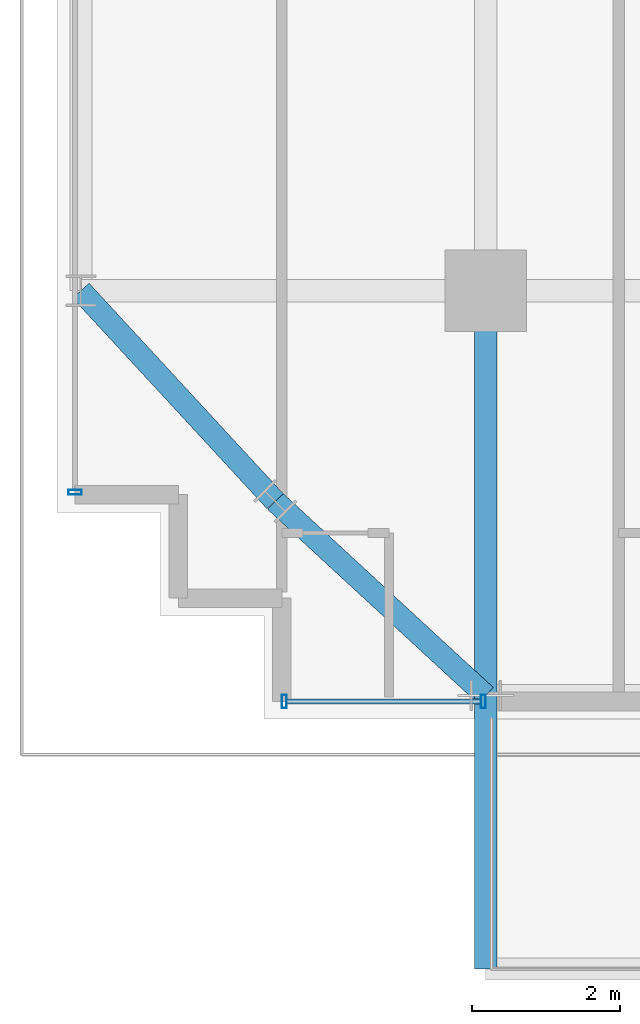
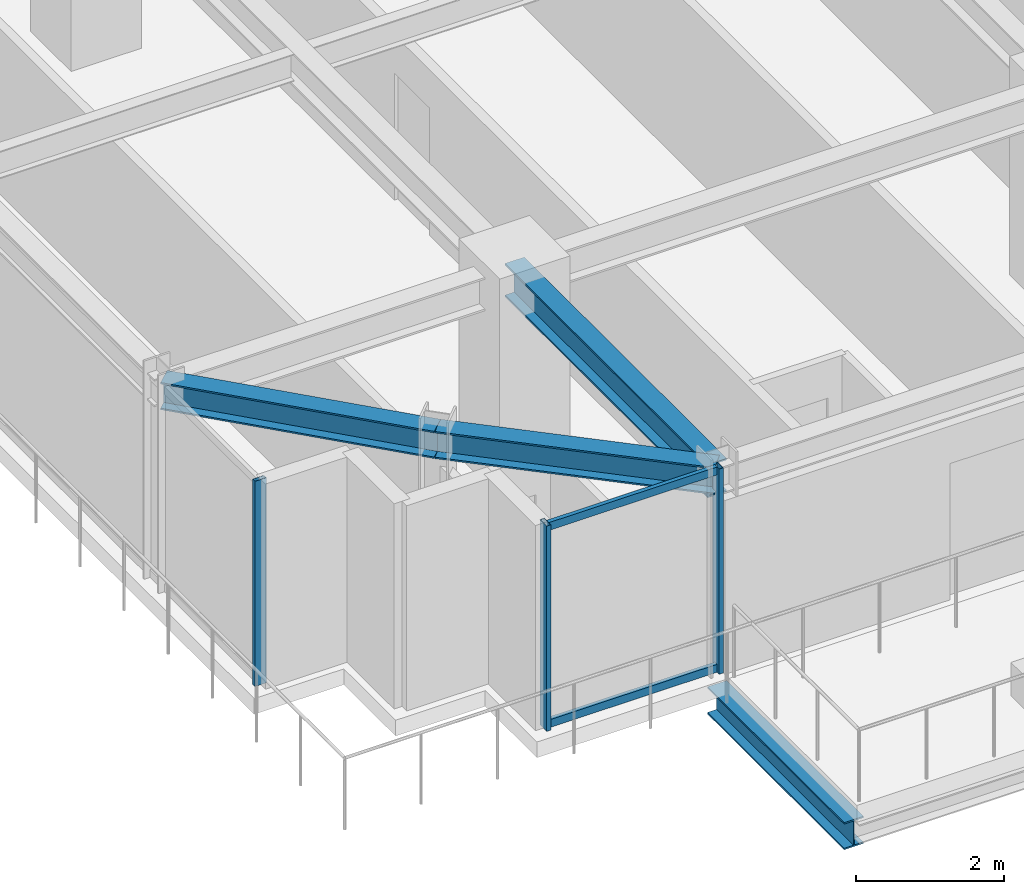
# One storey, part 2 of 33: 5 members, 4 beams, 2 elements without a shape of their own.
"""IFC4 building model written with IfcOpenShell, lengths in metres."""

from ifc_helpers import new_model, si_unit, direction, frame, origin, origin_2d, place, context, subcontext, project, spatial, hollow_rectangle, i_section, extrude, source, transform, mapped, material, material_profile, profile_set, type_object, element, aggregate, save


model = new_model("IFC4")

# Units and contexts
model_context = context("Model", 3, precision=1e-05, world=origin(), true_north=direction((0.0, 1.0)))
body_context = subcontext(model_context, "Body", "Model", "MODEL_VIEW")
ifc_project = project(units=[si_unit("LENGTHUNIT", "METRE"), si_unit("AREAUNIT", "SQUARE_METRE"), si_unit("VOLUMEUNIT", "CUBIC_METRE"), si_unit("PLANEANGLEUNIT", "RADIAN"), si_unit("MASSUNIT", "GRAM", prefix="KILO")], contexts=[model_context])

# Site, building, storey
site_placement = place(None, origin())
site = spatial("IfcSite", under=ifc_project, at=site_placement, CompositionType="ELEMENT")
building_placement = place(site_placement, origin())
building = spatial("IfcBuilding", under=site, at=building_placement, Name="Nahalor Promenade Grand Hotel", CompositionType="ELEMENT")
storey_placement = place(building_placement, frame((0.0, 0.0, 149.0)))
storey = spatial("IfcBuildingStorey", under=building, at=storey_placement, Name="L37", CompositionType="ELEMENT", Elevation=149.0)

# Beams
ifc_material_1 = material(Name="Steel S355JR", Category="steel")
ifc_material_profile_1 = material_profile(ifc_material_1, i_section(OverallWidth=0.3, OverallDepth=0.45, WebThickness=0.014, FlangeThickness=0.026, at=origin_2d()), Name="HEB 450")
ifc_profile_set_1 = profile_set([ifc_material_profile_1], Name="Steel S355JR")
beam_type_1 = type_object("IfcBeamType", Name="Beam-Outrigger-HEB450", PredefinedType="BEAM", material=ifc_profile_set_1)
shared_shape_1 = source(origin(), body_context, "Body", "SweptSolid", [
    extrude(i_section(OverallWidth=0.3, OverallDepth=0.45, WebThickness=0.014, FlangeThickness=0.026, at=origin_2d()), origin(), (0.0, 0.0, 1.0), 3.699951171875),
])
beam_1_placement = place(storey_placement, frame((-17.0, -26.179931640625, -0.5048828125), z_axis=(0.0, 1.0, 0.0), x_axis=(-1.0, 0.0, 0.0)))
element("IfcBeam", 1, at=beam_1_placement, inside=storey, type_object=beam_type_1, Name="BM-L37-BC-01-1", PredefinedType="BEAM", context=body_context, shape_type="MappedRepresentation", body=[
    mapped(shared_shape_1, transform((0.0, 0.0, 0.0), scale=1.0)),
])
ifc_material_profile_2 = material_profile(ifc_material_1, i_section(OverallWidth=0.3, OverallDepth=0.55, WebThickness=0.015, FlangeThickness=0.029, at=origin_2d()), Name="HEB 550")
ifc_profile_set_2 = profile_set([ifc_material_profile_2], Name="Steel S355JR")
beam_type_2 = type_object("IfcBeamType", Name="Beam-Girder-HEB550", PredefinedType="BEAM", material=ifc_profile_set_2)
shared_shape_2 = source(origin(), body_context, "Body", "SweptSolid", [
    extrude(i_section(OverallWidth=0.3, OverallDepth=0.55, WebThickness=0.015, FlangeThickness=0.029, at=origin_2d()), origin(), (0.0, 0.0, 1.0), 5.47998046875),
])
beam_2_placement = place(storey_placement, frame((-17.0, -22.47998046875, 3.114990234375), z_axis=(0.0, 1.0, 0.0), x_axis=(-1.0, 0.0, 0.0)))
element("IfcBeam", 2, at=beam_2_placement, inside=storey, type_object=beam_type_2, Name="BM-L37-GY-0-0", PredefinedType="BEAM", context=body_context, shape_type="MappedRepresentation", body=[
    mapped(shared_shape_2, transform((0.0, 0.0, 0.0), scale=1.0)),
])
ifc_material_profile_3 = material_profile(ifc_material_1, i_section(OverallWidth=0.3, OverallDepth=0.45, WebThickness=0.014, FlangeThickness=0.026, at=origin_2d()), Name="HEB 450")
ifc_profile_set_3 = profile_set([ifc_material_profile_3], Name="Steel S355JR")
beam_type_3 = type_object("IfcBeamType", Name="Beam-Spandrel-HEB450", PredefinedType="SPANDREL", material=ifc_profile_set_3)
shared_shape_3 = source(origin(), body_context, "Body", "SweptSolid", [
    extrude(i_section(OverallWidth=0.3, OverallDepth=0.45, WebThickness=0.014, FlangeThickness=0.026, at=origin_2d()), origin(), (0.0, 0.0, 1.0), 3.878173828125),
])
for number, where, z_axis, x_axis, name in (
    (3, (-17.0, -22.47998046875, 3.1650390625), (-0.73492893846, 0.678144125843, 0.0), (-0.678144125843, -0.73492893846, 0.0), "BM-L37-SPC-SW-1"),
    (4, (-19.85009765625, -19.85009765625, 3.1650390625), (-0.678144125843, 0.73492893846, 0.0), (-0.73492893846, -0.678144125843, 0.0), "BM-L37-SPC-SW-2"),
):
    element("IfcBeam", number, at=place(storey_placement, frame(where, z_axis=z_axis, x_axis=x_axis)), inside=storey, type_object=beam_type_3, Name=name, PredefinedType="SPANDREL", context=body_context, shape_type="MappedRepresentation", body=[
        mapped(shared_shape_3, transform((0.0, 0.0, 0.0), scale=1.0)),
    ])

# Curtain wall, members
ifc_material_2 = material(Name="Anodised Bronze Aluminium EN AW-6063 T6", Category="aluminium")
curtain_wall_type = type_object("IfcCurtainWallType", Name="CW2 Typical Hotel Flush Bronze Unitised Curtain Wall", PredefinedType="USERDEFINED", material=ifc_material_2)
curtain_wall_1_placement = place(storey_placement, origin())
curtain_wall_1 = element("IfcCurtainWall", 5, at=curtain_wall_1_placement, inside=storey, type_object=curtain_wall_type, Name="L37 Curtain Wall CW-L37-S-1", ObjectType="UNITISED_CURTAIN_WALL", PredefinedType="USERDEFINED")
ifc_material_profile_4 = material_profile(ifc_material_2, hollow_rectangle(XDim=0.065, YDim=0.18, WallThickness=0.004, at=origin_2d()), Name="CWM 65x180x4")
ifc_profile_set_4 = profile_set([ifc_material_profile_4], Name="Anodised Bronze Aluminium EN AW-6063 T6")
member_type_1 = type_object("IfcMemberType", Name="CWM2 Typical Bronze Mullion 65x180", PredefinedType="MULLION", material=ifc_profile_set_4)
shared_shape_4 = source(origin(), body_context, "Body", "SweptSolid", [
    extrude(hollow_rectangle(XDim=0.065, YDim=0.18, WallThickness=0.004, at=origin_2d()), origin(), (0.0, 0.0, 1.0), 3.389892578125),
])
member_1_placement = place(storey_placement, frame((-19.7275390625, -22.56005859375, 0.0), z_axis=(0.0, 0.0, 1.0), x_axis=(1.0, 0.0, 0.0)))
member_1 = element("IfcMember", 6, at=member_1_placement, type_object=member_type_1, Name="CW-L37-S-1 Mullion 0", PredefinedType="MULLION", context=body_context, shape_type="MappedRepresentation", body=[
    mapped(shared_shape_4, transform((0.0, 0.0, 0.0), scale=1.0)),
])
member_2_placement = place(storey_placement, frame((-17.032470703125, -22.56005859375, 0.0), z_axis=(0.0, 0.0, 1.0), x_axis=(1.0, 0.0, 0.0)))
member_2 = element("IfcMember", 7, at=member_2_placement, type_object=member_type_1, Name="CW-L37-S-1 Mullion 1", PredefinedType="MULLION", context=body_context, shape_type="MappedRepresentation", body=[
    mapped(shared_shape_4, transform((0.0, 0.0, 0.0), scale=1.0)),
])

# Curtain wall, member
curtain_wall_2_placement = place(storey_placement, origin())
curtain_wall_2 = element("IfcCurtainWall", 8, at=curtain_wall_2_placement, inside=storey, type_object=curtain_wall_type, Name="L37 Curtain Wall CW-L37-W-1", ObjectType="UNITISED_CURTAIN_WALL", PredefinedType="USERDEFINED")
member_3_placement = place(storey_placement, frame((-22.56005859375, -19.7275390625, 0.0), z_axis=(0.0, 0.0, 1.0), x_axis=(0.0, 1.0, 0.0)))
member_3 = element("IfcMember", 9, at=member_3_placement, type_object=member_type_1, Name="CW-L37-W-1 Mullion 0", PredefinedType="MULLION", context=body_context, shape_type="MappedRepresentation", body=[
    mapped(shared_shape_4, transform((0.0, 0.0, 0.0), scale=1.0)),
])
aggregate(curtain_wall_2, [member_3])

# Member
ifc_material_profile_5 = material_profile(ifc_material_2, hollow_rectangle(XDim=0.065, YDim=0.13, WallThickness=0.004, at=origin_2d()), Name="CWT 65x130x4")
ifc_profile_set_5 = profile_set([ifc_material_profile_5], Name="Anodised Bronze Aluminium EN AW-6063 T6")
member_type_2 = type_object("IfcMemberType", Name="CWT2 Typical Bronze Transom 65x130", PredefinedType="USERDEFINED", material=ifc_profile_set_5)
shared_shape_5 = source(origin(), body_context, "Body", "SweptSolid", [
    extrude(hollow_rectangle(XDim=0.065, YDim=0.13, WallThickness=0.004, at=origin_2d()), origin(), (0.0, 0.0, 1.0), 2.630126953125),
])
member_4_placement = place(storey_placement, frame((-19.695068359375, -22.56005859375, 0.06494140625), z_axis=(1.0, 0.0, 0.0), x_axis=(0.0, 1.0, 0.0)))
member_4 = element("IfcMember", 10, at=member_4_placement, type_object=member_type_2, Name="CW-L37-S-1 Transom 0-0", ObjectType="TRANSOM", PredefinedType="USERDEFINED", context=body_context, shape_type="MappedRepresentation", body=[
    mapped(shared_shape_5, transform((0.0, 0.0, 0.0), scale=1.0)),
])

member_5_placement = place(storey_placement, frame((-19.695068359375, -22.56005859375, 3.324951171875), z_axis=(1.0, 0.0, 0.0), x_axis=(0.0, 1.0, 0.0)))
member_5 = element("IfcMember", 11, at=member_5_placement, type_object=member_type_2, Name="CW-L37-S-1 Transom 0-1", ObjectType="TRANSOM", PredefinedType="USERDEFINED", context=body_context, shape_type="MappedRepresentation", body=[
    mapped(shared_shape_5, transform((0.0, 0.0, 0.0), scale=1.0)),
])

aggregate(curtain_wall_1, [member_1, member_2, member_4, member_5])

save(model, "model.ifc")
